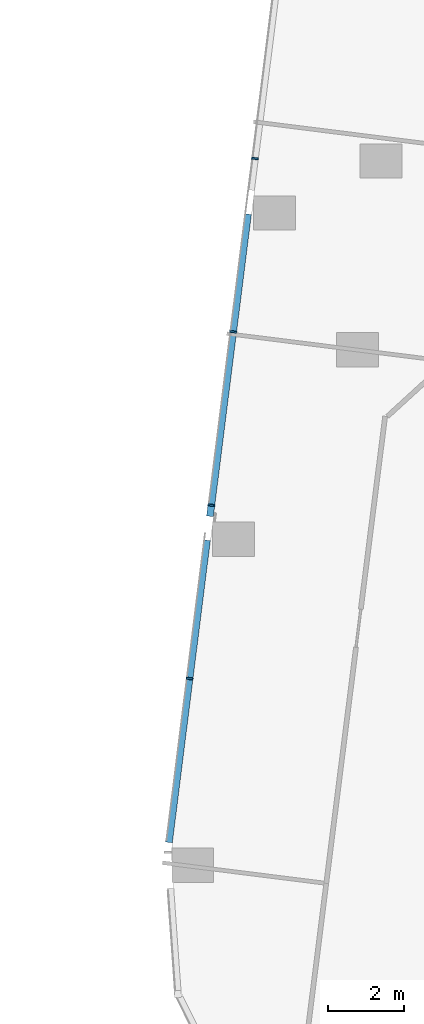
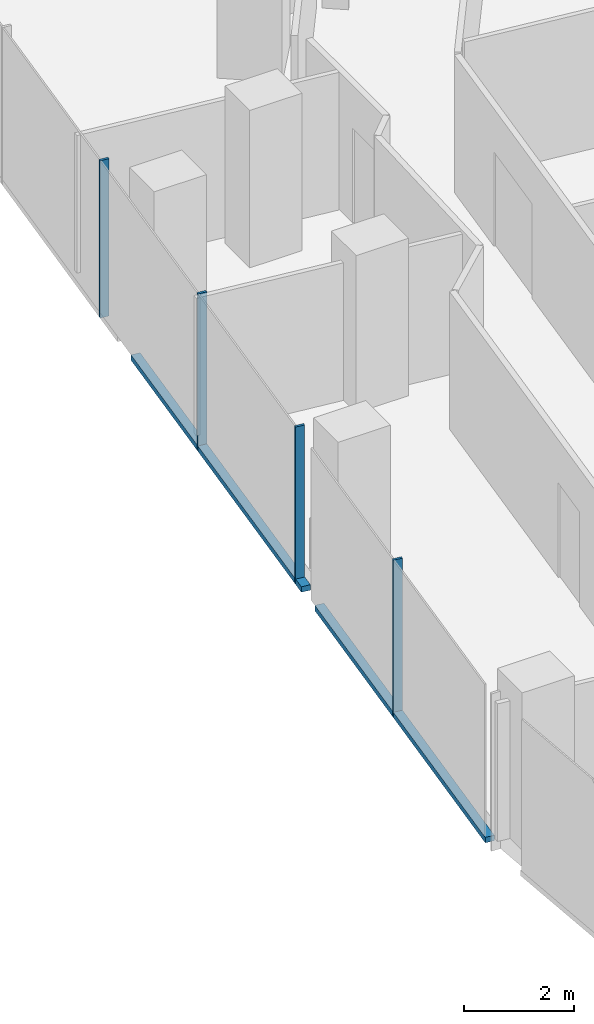
# One storey, part 3 of 27: 6 members, 1 element without a shape of its own.
"""IFC4 building model written with IfcOpenShell, lengths in metres."""

from ifc_helpers import new_model, si_unit, direction, frame, origin, origin_2d, place, context, subcontext, project, spatial, rectangle, extrude, material, material_profile, profile_set, type_object, element, aggregate, save


model = new_model("IFC4")

# Units and contexts
model_context = context("Model", 3, precision=1e-05, world=origin(), true_north=direction((0.0, 1.0)))
body_context = subcontext(model_context, "Body", "Model", "MODEL_VIEW")
ifc_project = project(units=[si_unit("LENGTHUNIT", "METRE"), si_unit("AREAUNIT", "SQUARE_METRE"), si_unit("VOLUMEUNIT", "CUBIC_METRE"), si_unit("PLANEANGLEUNIT", "RADIAN"), si_unit("MASSUNIT", "GRAM", prefix="KILO")], contexts=[model_context])

# Site, building, storey
site_placement = place(None, origin())
site = spatial("IfcSite", under=ifc_project, at=site_placement, CompositionType="ELEMENT")
building_placement = place(site_placement, origin())
building = spatial("IfcBuilding", under=site, at=building_placement, Name="Orlundy Tower", CompositionType="ELEMENT")
storey_placement = place(building_placement, frame((0.0, 0.0, 195.60009765625)))
storey = spatial("IfcBuildingStorey", under=building, at=storey_placement, Name="L51", CompositionType="ELEMENT", Elevation=195.60009765625)

# Curtain wall, members
ifc_material_1 = material(Name="Aluminium bronze anodised", Category="aluminium")
curtain_wall_type = type_object("IfcCurtainWallType", Name="CW1 wall", PredefinedType="NOTDEFINED", material=ifc_material_1)
curtain_wall_placement = place(storey_placement, origin())
curtain_wall = element("IfcCurtainWall", 1, at=curtain_wall_placement, inside=storey, type_object=curtain_wall_type, Name="CW1 run 00", PredefinedType="NOTDEFINED")
ifc_material_2 = material(Name="Aluminium bronze anodised", Category="aluminium")
ifc_material_profile_1 = material_profile(ifc_material_2, rectangle(XDim=0.179931640625, YDim=0.050048828125, at=origin_2d()), Name="CW1 mullion 50x180")
ifc_profile_set_1 = profile_set([ifc_material_profile_1], Name="Aluminium bronze anodised")
member_type_1 = type_object("IfcMemberType", Name="CW1 mullion 50x180", PredefinedType="MULLION", material=ifc_profile_set_1)
member_1_placement = place(storey_placement, frame((-25.598876953125, -42.550048828125, -0.420166015625), z_axis=(0.0, 0.0, 1.0), x_axis=(-0.992186526754, 0.124763360518, 0.0)))
member_1 = element("IfcMember", 2, at=member_1_placement, type_object=member_type_1, Name="CW1 mullion 2", PredefinedType="MULLION", context=body_context, shape_type="SweptSolid", body=[
    extrude(rectangle(XDim=0.179931640625, YDim=0.050048828125, at=origin_2d()), origin(), (0.0, 0.0, 1.0), 3.5),
])
member_2_placement = place(storey_placement, frame((-25.0263671875, -37.9970703125, -0.420166015625), z_axis=(0.0, 0.0, 1.0), x_axis=(-0.992186526754, 0.124763360518, 0.0)))
member_2 = element("IfcMember", 3, at=member_2_placement, type_object=member_type_1, Name="CW1 mullion 3", PredefinedType="MULLION", context=body_context, shape_type="SweptSolid", body=[
    extrude(rectangle(XDim=0.179931640625, YDim=0.050048828125, at=origin_2d()), origin(), (0.0, 0.0, 1.0), 3.5),
])
member_3_placement = place(storey_placement, frame((-24.453857421875, -33.4443359375, -0.420166015625), z_axis=(0.0, 0.0, 1.0), x_axis=(-0.992186526754, 0.124763360518, 0.0)))
member_3 = element("IfcMember", 4, at=member_3_placement, type_object=member_type_1, Name="CW1 mullion 4", PredefinedType="MULLION", context=body_context, shape_type="SweptSolid", body=[
    extrude(rectangle(XDim=0.179931640625, YDim=0.050048828125, at=origin_2d()), origin(), (0.0, 0.0, 1.0), 3.5),
])
member_4_placement = place(storey_placement, frame((-23.88134765625, -28.891357421875, -0.420166015625), z_axis=(0.0, 0.0, 1.0), x_axis=(-0.992186526754, 0.124763360518, 0.0)))
member_4 = element("IfcMember", 5, at=member_4_placement, type_object=member_type_1, Name="CW1 mullion 5", PredefinedType="MULLION", context=body_context, shape_type="SweptSolid", body=[
    extrude(rectangle(XDim=0.179931640625, YDim=0.050048828125, at=origin_2d()), origin(), (0.0, 0.0, 1.0), 3.5),
])
ifc_material_3 = material(Name="Aluminium bronze anodised", Category="aluminium")
ifc_material_profile_2 = material_profile(ifc_material_3, rectangle(XDim=0.179931640625, YDim=0.1201171875, at=origin_2d()), Name="CW1 transom 180x120")
ifc_profile_set_2 = profile_set([ifc_material_profile_2], Name="Aluminium bronze anodised")
member_type_2 = type_object("IfcMemberType", Name="CW1 transom 180x120", PredefinedType="USERDEFINED", material=ifc_profile_set_2)
member_5_placement = place(storey_placement, frame((-26.14013671875, -46.85400390625, -0.360107421875), z_axis=(0.124767189185, 0.992186045307, 0.0), x_axis=(-0.992186045307, 0.124767189185, 0.0)))
member_5 = element("IfcMember", 6, at=member_5_placement, type_object=member_type_2, Name="CW1 transom", ObjectType="TRANSOM", PredefinedType="USERDEFINED", context=body_context, shape_type="SweptSolid", body=[
    extrude(rectangle(XDim=0.179931640625, YDim=0.1201171875, at=origin_2d()), origin(), (0.0, 0.0, 1.0), 7.999267578125),
])
member_6_placement = place(storey_placement, frame((-25.06298828125, -38.2880859375, -0.360107421875), z_axis=(0.124782303734, 0.992184144539, 0.0), x_axis=(-0.992184144539, 0.124782303734, 0.0)))
member_6 = element("IfcMember", 7, at=member_6_placement, type_object=member_type_2, Name="CW1 transom", ObjectType="TRANSOM", PredefinedType="USERDEFINED", context=body_context, shape_type="SweptSolid", body=[
    extrude(rectangle(XDim=0.179931640625, YDim=0.1201171875, at=origin_2d()), origin(), (0.0, 0.0, 1.0), 7.998291015625),
])
aggregate(curtain_wall, [member_1, member_2, member_3, member_4, member_5, member_6])

save(model, "model.ifc")
